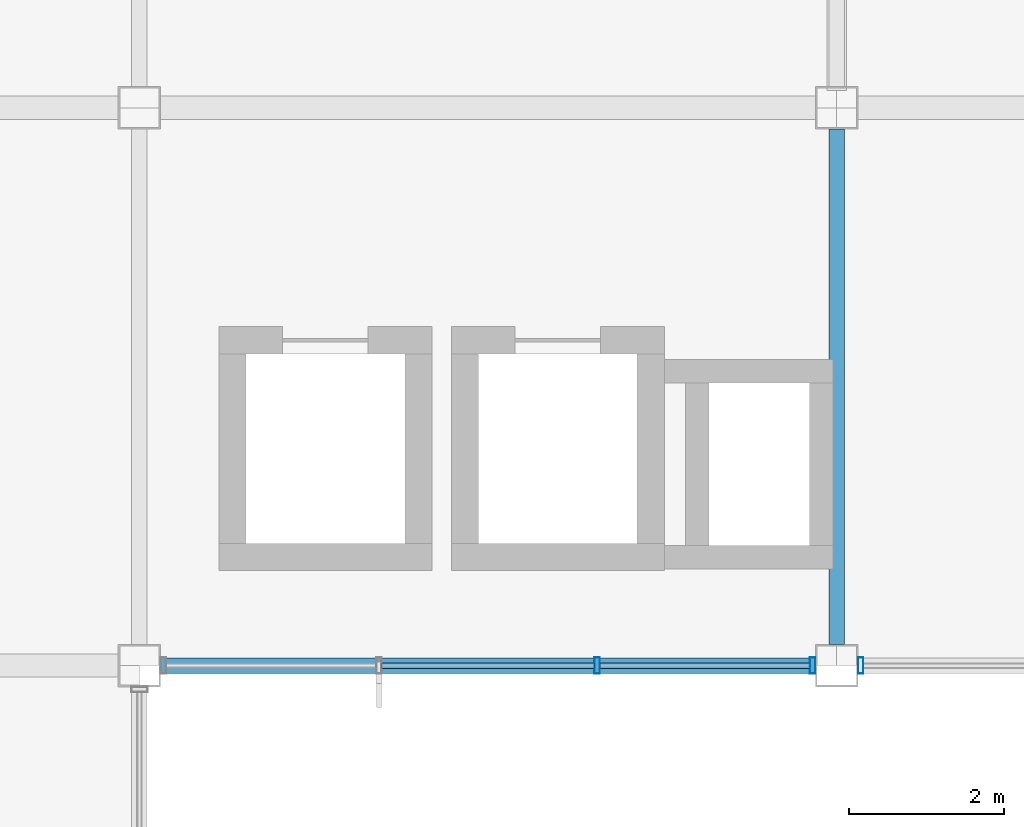
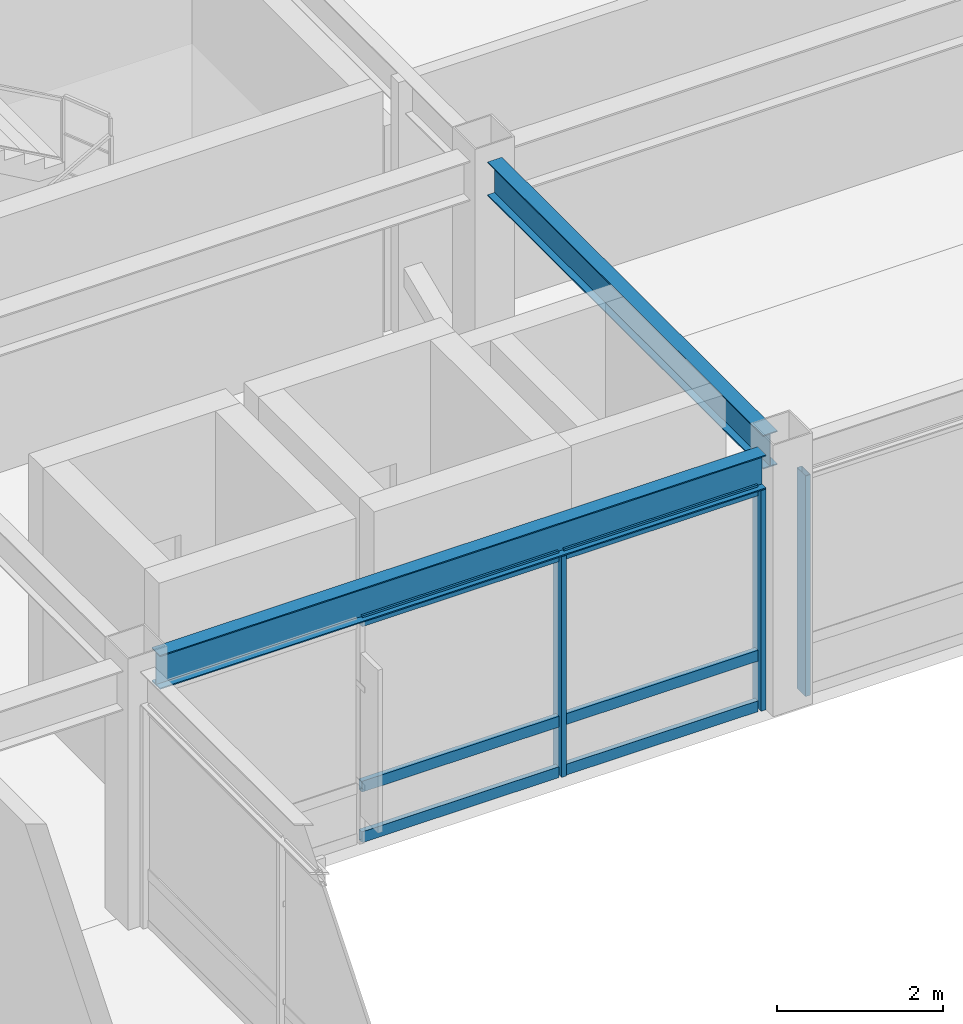
# One storey, part 62 of 122: 9 members, 2 beams, 2 elements without a shape of their own.
"""IFC4 building model written with IfcOpenShell, lengths in metres."""

from ifc_helpers import new_model, si_unit, direction, frame, origin, origin_2d, place, context, subcontext, project, spatial, hollow_rectangle, i_section, extrude, material, material_profile, profile_set, type_object, element, aggregate, save


model = new_model("IFC4")

# Units and contexts
model_context = context("Model", 3, precision=1e-05, world=origin(), true_north=direction((0.0, 1.0)))
body_context = subcontext(model_context, "Body", "Model", "MODEL_VIEW")
ifc_project = project(units=[si_unit("LENGTHUNIT", "METRE"), si_unit("AREAUNIT", "SQUARE_METRE"), si_unit("VOLUMEUNIT", "CUBIC_METRE"), si_unit("PLANEANGLEUNIT", "RADIAN"), si_unit("MASSUNIT", "GRAM", prefix="KILO")], contexts=[model_context])

# Site, building, storey
site_placement = place(None, origin())
site = spatial("IfcSite", under=ifc_project, at=site_placement, CompositionType="ELEMENT")
building_placement = place(site_placement, origin())
building = spatial("IfcBuilding", under=site, at=building_placement, Name="Kazanami Central Library", CompositionType="ELEMENT")
storey_placement = place(building_placement, frame((0.0, 0.0, 4.800048828125)))
storey = spatial("IfcBuildingStorey", under=building, at=storey_placement, Name="L02", CompositionType="ELEMENT", Elevation=4.800048828125)

# Beams
ifc_material_1 = material(Name="Steel SN490B (325 MPa)", Category="steel")
ifc_material_profile_1 = material_profile(ifc_material_1, i_section(OverallWidth=0.199951171875, OverallDepth=0.5, WebThickness=0.010009765625, FlangeThickness=0.01611328125, at=origin_2d()), Name="H-500x200x10x16")
ifc_profile_set_1 = profile_set([ifc_material_profile_1], Name="Steel SN490B (325 MPa)")
beam_type_1 = type_object("IfcBeamType", Name="BM-G-Y2", PredefinedType="BEAM", material=ifc_profile_set_1)
beam_1_placement = place(storey_placement, frame((63.0, 65.072998046875, 3.5048828125), z_axis=(0.0, 1.0, 0.0), x_axis=(-1.0, 0.0, 0.0)))
element("IfcBeam", 1, at=beam_1_placement, inside=storey, type_object=beam_type_1, Name="Girder G-Y2 L02 8/K-L", PredefinedType="BEAM", context=body_context, shape_type="SweptSolid", body=[
    extrude(i_section(OverallWidth=0.199951171875, OverallDepth=0.5, WebThickness=0.010009765625, FlangeThickness=0.01611328125, at=origin_2d()), origin(), (0.0, 0.0, 1.0), 6.654052734375),
])
ifc_material_profile_2 = material_profile(ifc_material_1, i_section(OverallWidth=0.199951171875, OverallDepth=0.5, WebThickness=0.010009765625, FlangeThickness=0.01611328125, at=origin_2d()), Name="H-500x200x10x16")
ifc_profile_set_2 = profile_set([ifc_material_profile_2], Name="Steel SN490B (325 MPa)")
beam_type_2 = type_object("IfcBeamType", Name="BM-SP-1", PredefinedType="SPANDREL", material=ifc_profile_set_2)
beam_2_placement = place(storey_placement, frame((54.27294921875, 64.800048828125, 3.5048828125), z_axis=(1.0, 0.0, 0.0), x_axis=(0.0, 1.0, 0.0)))
element("IfcBeam", 2, at=beam_2_placement, inside=storey, type_object=beam_type_2, Name="Girder SP-1 L02 K/7-8", PredefinedType="SPANDREL", context=body_context, shape_type="SweptSolid", body=[
    extrude(i_section(OverallWidth=0.199951171875, OverallDepth=0.5, WebThickness=0.010009765625, FlangeThickness=0.01611328125, at=origin_2d()), origin(), (0.0, 0.0, 1.0), 8.4541015625),
])

# Curtain wall, members
ifc_material_2 = material(Name="Acid-Etched Low-E Laminated Glass", Category="glass")
curtain_wall_type = type_object("IfcCurtainWallType", Name="CW-8450x3255-M275", PredefinedType="USERDEFINED", material=ifc_material_2)
curtain_wall_1_placement = place(storey_placement, origin())
curtain_wall_1 = element("IfcCurtainWall", 3, at=curtain_wall_1_placement, inside=storey, type_object=curtain_wall_type, Name="Unitised Curtain Wall CW-13 L02 S-K-06", ObjectType="UNITISED CURTAIN WALL", PredefinedType="USERDEFINED")
ifc_material_3 = material(Name="Anodised Aluminium A6063-T5", Category="aluminium")
ifc_material_profile_3 = material_profile(ifc_material_3, hollow_rectangle(XDim=0.070068359375, YDim=0.2099609375, WallThickness=0.0048828125, at=origin_2d()), Name="ALU-MULL-70x210x5")
ifc_profile_set_3 = profile_set([ifc_material_profile_3], Name="Anodised Aluminium A6063-T5")
member_type_1 = type_object("IfcMemberType", Name="MEM-CW-M1", PredefinedType="MULLION", material=ifc_profile_set_3)
member_1_placement = place(storey_placement, frame((59.908447265625, 64.800048828125, 0.0), z_axis=(0.0, 0.0, 1.0), x_axis=(1.0, 0.0, 0.0)))
member_1 = element("IfcMember", 4, at=member_1_placement, type_object=member_type_1, Name="CW-13 mullion 3", PredefinedType="MULLION", context=body_context, shape_type="SweptSolid", body=[
    extrude(hollow_rectangle(XDim=0.070068359375, YDim=0.2099609375, WallThickness=0.0048828125, at=origin_2d()), origin(), (0.0, 0.0, 1.0), 3.2548828125),
])
member_2_placement = place(storey_placement, frame((62.68994140625, 64.800048828125, 0.0), z_axis=(0.0, 0.0, 1.0), x_axis=(1.0, 0.0, 0.0)))
member_2 = element("IfcMember", 5, at=member_2_placement, type_object=member_type_1, Name="CW-13 mullion 4", PredefinedType="MULLION", context=body_context, shape_type="SweptSolid", body=[
    extrude(hollow_rectangle(XDim=0.070068359375, YDim=0.2099609375, WallThickness=0.0048828125, at=origin_2d()), origin(), (0.0, 0.0, 1.0), 3.2548828125),
])

# Curtain wall, member
curtain_wall_2_placement = place(storey_placement, origin())
curtain_wall_2 = element("IfcCurtainWall", 6, at=curtain_wall_2_placement, inside=storey, type_object=curtain_wall_type, Name="Unitised Curtain Wall CW-13 L02 S-K-07", ObjectType="UNITISED CURTAIN WALL", PredefinedType="USERDEFINED")
member_3_placement = place(storey_placement, frame((63.31005859375, 64.800048828125, 0.0), z_axis=(0.0, 0.0, 1.0), x_axis=(1.0, 0.0, 0.0)))
member_3 = element("IfcMember", 7, at=member_3_placement, type_object=member_type_1, Name="CW-13 mullion 1", PredefinedType="MULLION", context=body_context, shape_type="SweptSolid", body=[
    extrude(hollow_rectangle(XDim=0.070068359375, YDim=0.2099609375, WallThickness=0.0048828125, at=origin_2d()), origin(), (0.0, 0.0, 1.0), 3.2548828125),
])
aggregate(curtain_wall_2, [member_3])

# Member
ifc_material_profile_4 = material_profile(ifc_material_3, hollow_rectangle(XDim=0.070068359375, YDim=0.159912109375, WallThickness=0.00390625, at=origin_2d()), Name="ALU-TRAN-70x160x4")
ifc_profile_set_4 = profile_set([ifc_material_profile_4], Name="Anodised Aluminium A6063-T5")
member_type_2 = type_object("IfcMemberType", Name="MEM-CW-T1", PredefinedType="USERDEFINED", material=ifc_profile_set_4)
member_4_placement = place(storey_placement, frame((57.126708984375, 64.800048828125, 0.034912109375), z_axis=(1.0, 0.0, 0.0), x_axis=(0.0, 1.0, 0.0)))
member_4 = element("IfcMember", 8, at=member_4_placement, type_object=member_type_2, Name="CW-13 transom 2.1", ObjectType="TRANSOM", PredefinedType="USERDEFINED", context=body_context, shape_type="SweptSolid", body=[
    extrude(hollow_rectangle(XDim=0.070068359375, YDim=0.159912109375, WallThickness=0.00390625, at=origin_2d()), origin(), (0.0, 0.0, 1.0), 2.74658203125),
])

member_5_placement = place(storey_placement, frame((57.126708984375, 64.800048828125, 0.780029296875), z_axis=(1.0, 0.0, 0.0), x_axis=(0.0, 1.0, 0.0)))
member_5 = element("IfcMember", 9, at=member_5_placement, type_object=member_type_2, Name="CW-13 transom 2.2", ObjectType="TRANSOM", PredefinedType="USERDEFINED", context=body_context, shape_type="SweptSolid", body=[
    extrude(hollow_rectangle(XDim=0.070068359375, YDim=0.159912109375, WallThickness=0.00390625, at=origin_2d()), origin(), (0.0, 0.0, 1.0), 2.74658203125),
])

member_6_placement = place(storey_placement, frame((57.126708984375, 64.800048828125, 3.219970703125), z_axis=(1.0, 0.0, 0.0), x_axis=(0.0, 1.0, 0.0)))
member_6 = element("IfcMember", 10, at=member_6_placement, type_object=member_type_2, Name="CW-13 transom 2.3", ObjectType="TRANSOM", PredefinedType="USERDEFINED", context=body_context, shape_type="SweptSolid", body=[
    extrude(hollow_rectangle(XDim=0.070068359375, YDim=0.159912109375, WallThickness=0.00390625, at=origin_2d()), origin(), (0.0, 0.0, 1.0), 2.74658203125),
])

member_7_placement = place(storey_placement, frame((59.943359375, 64.800048828125, 0.034912109375), z_axis=(1.0, 0.0, 0.0), x_axis=(0.0, 1.0, 0.0)))
member_7 = element("IfcMember", 11, at=member_7_placement, type_object=member_type_2, Name="CW-13 transom 3.1", ObjectType="TRANSOM", PredefinedType="USERDEFINED", context=body_context, shape_type="SweptSolid", body=[
    extrude(hollow_rectangle(XDim=0.070068359375, YDim=0.159912109375, WallThickness=0.00390625, at=origin_2d()), origin(), (0.0, 0.0, 1.0), 2.711669921875),
])

member_8_placement = place(storey_placement, frame((59.943359375, 64.800048828125, 0.780029296875), z_axis=(1.0, 0.0, 0.0), x_axis=(0.0, 1.0, 0.0)))
member_8 = element("IfcMember", 12, at=member_8_placement, type_object=member_type_2, Name="CW-13 transom 3.2", ObjectType="TRANSOM", PredefinedType="USERDEFINED", context=body_context, shape_type="SweptSolid", body=[
    extrude(hollow_rectangle(XDim=0.070068359375, YDim=0.159912109375, WallThickness=0.00390625, at=origin_2d()), origin(), (0.0, 0.0, 1.0), 2.711669921875),
])

member_9_placement = place(storey_placement, frame((59.943359375, 64.800048828125, 3.219970703125), z_axis=(1.0, 0.0, 0.0), x_axis=(0.0, 1.0, 0.0)))
member_9 = element("IfcMember", 13, at=member_9_placement, type_object=member_type_2, Name="CW-13 transom 3.3", ObjectType="TRANSOM", PredefinedType="USERDEFINED", context=body_context, shape_type="SweptSolid", body=[
    extrude(hollow_rectangle(XDim=0.070068359375, YDim=0.159912109375, WallThickness=0.00390625, at=origin_2d()), origin(), (0.0, 0.0, 1.0), 2.711669921875),
])

aggregate(curtain_wall_1, [member_1, member_2, member_4, member_5, member_6, member_7, member_8, member_9])

save(model, "model.ifc")
